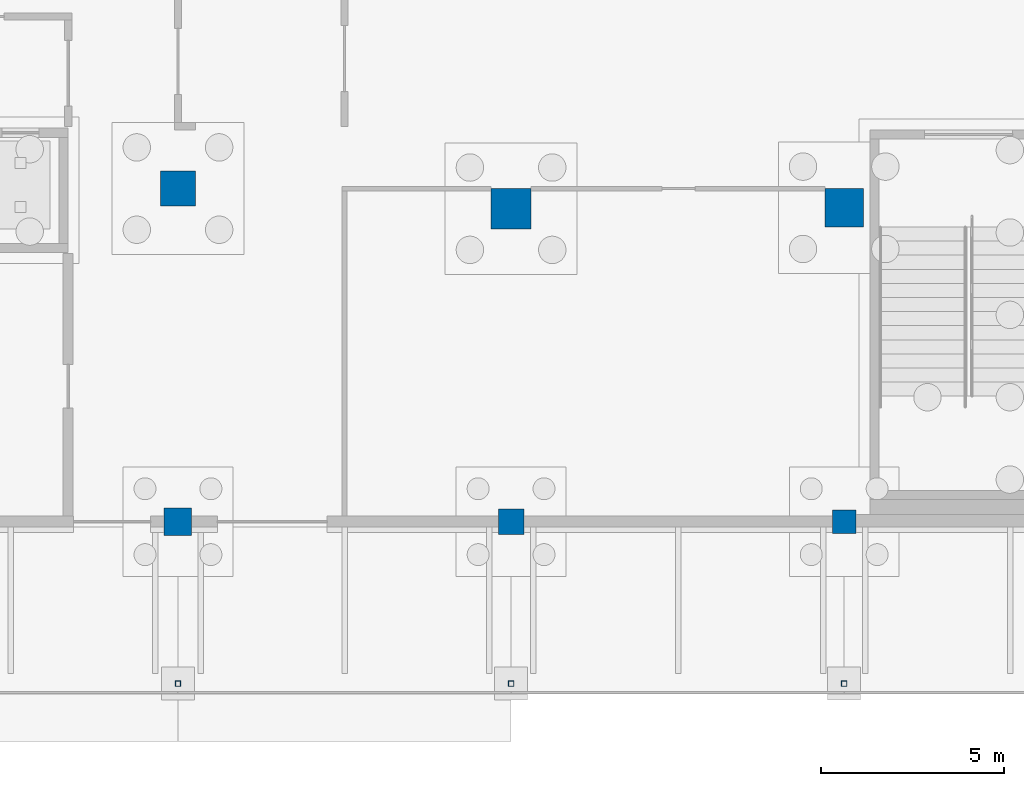
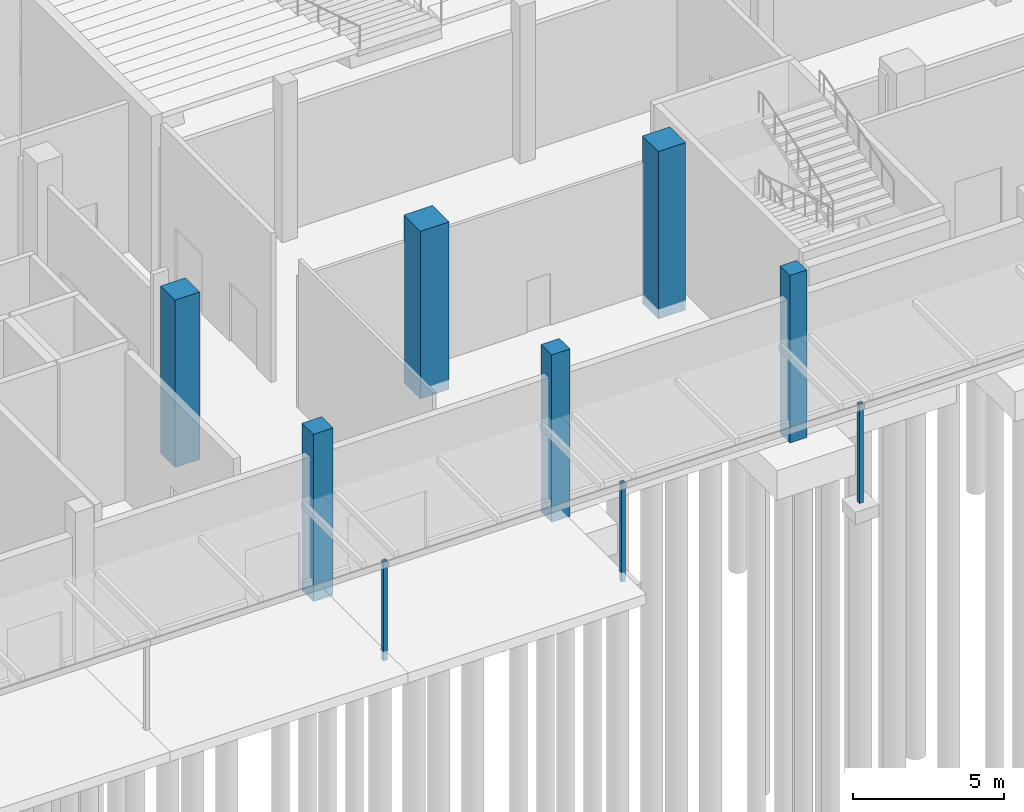
# One storey, part 11 of 129: 9 columns.
"""IFC4 building model written with IfcOpenShell, lengths in metres."""

from ifc_helpers import new_model, si_unit, direction, frame, origin, origin_2d, place, context, subcontext, project, spatial, rectangle, hollow_rectangle, extrude, material, material_profile, profile_set, type_object, element, save


model = new_model("IFC4")

# Units and contexts
model_context = context("Model", 3, precision=1e-05, world=origin(), true_north=direction((0.0, 1.0)))
body_context = subcontext(model_context, "Body", "Model", "MODEL_VIEW")
ifc_project = project(units=[si_unit("LENGTHUNIT", "METRE"), si_unit("AREAUNIT", "SQUARE_METRE"), si_unit("VOLUMEUNIT", "CUBIC_METRE"), si_unit("PLANEANGLEUNIT", "RADIAN"), si_unit("MASSUNIT", "GRAM", prefix="KILO")], contexts=[model_context])

# Site, building, storey
site_placement = place(None, origin())
site = spatial("IfcSite", under=ifc_project, at=site_placement, CompositionType="ELEMENT")
building_placement = place(site_placement, origin())
building = spatial("IfcBuilding", under=site, at=building_placement, Name="Shirokan Park Arena", CompositionType="ELEMENT")
storey_placement = place(building_placement, origin())
storey = spatial("IfcBuildingStorey", under=building, at=storey_placement, Name="L00", CompositionType="ELEMENT", Elevation=0.0)

# Columns
ifc_material_1 = material(Name="Concrete C35", Category="concrete")
ifc_material_profile_1 = material_profile(ifc_material_1, rectangle(XDim=1.050048828125, YDim=1.050048828125, at=origin_2d()), Name="1050x1050")
ifc_profile_set_1 = profile_set([ifc_material_profile_1], Name="Concrete C35")
column_type_1 = type_object("IfcColumnType", Name="RC column 1050x1050", PredefinedType="COLUMN", material=ifc_profile_set_1)
column_1_placement = place(storey_placement, frame((54.60009765625, 8.574951171875, -0.39990234375), z_axis=(0.0, 0.0, 1.0), x_axis=(1.0, 0.0, 0.0)))
element("IfcColumn", 1, at=column_1_placement, inside=storey, type_object=column_type_1, Name="Column 7B L00", PredefinedType="COLUMN", context=body_context, shape_type="SweptSolid", body=[
    extrude(rectangle(XDim=1.050048828125, YDim=1.050048828125, at=origin_2d()), origin(), (0.0, 0.0, 1.0), 6.77001953125),
])
ifc_material_profile_2 = material_profile(ifc_material_1, rectangle(XDim=1.10009765625, YDim=1.10009765625, at=origin_2d()), Name="1100x1100")
ifc_profile_set_2 = profile_set([ifc_material_profile_2], Name="Concrete C35")
column_type_2 = type_object("IfcColumnType", Name="RC column 1100x1100", PredefinedType="COLUMN", material=ifc_profile_set_2)
column_2_placement = place(storey_placement, frame((45.5, 8.550048828125, -0.39990234375), z_axis=(0.0, 0.0, 1.0), x_axis=(1.0, 0.0, 0.0)))
element("IfcColumn", 2, at=column_2_placement, inside=storey, type_object=column_type_2, Name="Column 6B L00", PredefinedType="COLUMN", context=body_context, shape_type="SweptSolid", body=[
    extrude(rectangle(XDim=1.10009765625, YDim=1.10009765625, at=origin_2d()), origin(), (0.0, 0.0, 1.0), 6.77001953125),
])
ifc_material_profile_3 = material_profile(ifc_material_1, rectangle(XDim=0.64990234375, YDim=0.64990234375, at=origin_2d()), Name="650x650")
ifc_profile_set_3 = profile_set([ifc_material_profile_3], Name="Concrete C35")
column_type_3 = type_object("IfcColumnType", Name="RC column 650x650", PredefinedType="COLUMN", material=ifc_profile_set_3)
column_3_placement = place(storey_placement, frame((54.60009765625, 0.0, -0.39990234375), z_axis=(0.0, 0.0, 1.0), x_axis=(1.0, 0.0, 0.0)))
element("IfcColumn", 3, at=column_3_placement, inside=storey, type_object=column_type_3, Name="Column 7A L00", PredefinedType="COLUMN", context=body_context, shape_type="SweptSolid", body=[
    extrude(rectangle(XDim=0.64990234375, YDim=0.64990234375, at=origin_2d()), origin(), (0.0, 0.0, 1.0), 6.77001953125),
])
ifc_material_profile_4 = material_profile(ifc_material_1, rectangle(XDim=0.699951171875, YDim=0.699951171875, at=origin_2d()), Name="700x700")
ifc_profile_set_4 = profile_set([ifc_material_profile_4], Name="Concrete C35")
column_type_4 = type_object("IfcColumnType", Name="RC column 700x700", PredefinedType="COLUMN", material=ifc_profile_set_4)
column_4_placement = place(storey_placement, frame((45.5, 0.0, -0.39990234375), z_axis=(0.0, 0.0, 1.0), x_axis=(1.0, 0.0, 0.0)))
element("IfcColumn", 4, at=column_4_placement, inside=storey, type_object=column_type_4, Name="Column 6A L00", PredefinedType="COLUMN", context=body_context, shape_type="SweptSolid", body=[
    extrude(rectangle(XDim=0.699951171875, YDim=0.699951171875, at=origin_2d()), origin(), (0.0, 0.0, 1.0), 6.77001953125),
])
ifc_material_profile_5 = material_profile(ifc_material_1, rectangle(XDim=0.75, YDim=0.75, at=origin_2d()), Name="750x750")
ifc_profile_set_5 = profile_set([ifc_material_profile_5], Name="Concrete C35")
column_type_5 = type_object("IfcColumnType", Name="RC column 750x750", PredefinedType="COLUMN", material=ifc_profile_set_5)
column_5_placement = place(storey_placement, frame((36.39990234375, 0.0, -0.39990234375), z_axis=(0.0, 0.0, 1.0), x_axis=(1.0, 0.0, 0.0)))
element("IfcColumn", 5, at=column_5_placement, inside=storey, type_object=column_type_5, Name="Column 5A L00", PredefinedType="COLUMN", context=body_context, shape_type="SweptSolid", body=[
    extrude(rectangle(XDim=0.75, YDim=0.75, at=origin_2d()), origin(), (0.0, 0.0, 1.0), 6.77001953125),
])
ifc_material_profile_6 = material_profile(ifc_material_1, rectangle(XDim=0.949951171875, YDim=0.949951171875, at=origin_2d()), Name="950x950")
ifc_profile_set_6 = profile_set([ifc_material_profile_6], Name="Concrete C35")
column_type_6 = type_object("IfcColumnType", Name="RC column 950x950", PredefinedType="COLUMN", material=ifc_profile_set_6)
column_6_placement = place(storey_placement, frame((36.39990234375, 9.10009765625, -0.39990234375), z_axis=(0.0, 0.0, 1.0), x_axis=(1.0, 0.0, 0.0)))
element("IfcColumn", 6, at=column_6_placement, inside=storey, type_object=column_type_6, Name="Column 5B L00", PredefinedType="COLUMN", context=body_context, shape_type="SweptSolid", body=[
    extrude(rectangle(XDim=0.949951171875, YDim=0.949951171875, at=origin_2d()), origin(), (0.0, 0.0, 1.0), 6.77001953125),
])
ifc_material_2 = material(Name="Steel S355", Category="steel")
ifc_material_profile_7 = material_profile(ifc_material_2, hollow_rectangle(XDim=0.14990234375, YDim=0.14990234375, WallThickness=0.008056640625, at=origin_2d()), Name="RHS 150x150x8")
ifc_profile_set_7 = profile_set([ifc_material_profile_7], Name="Steel S355")
column_type_7 = type_object("IfcColumnType", Name="Steel post RHS 150x150x8", PredefinedType="COLUMN", material=ifc_profile_set_7)
for number, where, z_axis, x_axis, name in (
    (7, (36.39990234375, -4.425048828125, -0.39990234375), (0.0, 0.0, 1.0), (1.0, 0.0, 0.0), "Canopy post south grid 5"),
    (8, (45.5, -4.425048828125, -0.39990234375), (0.0, 0.0, 1.0), (1.0, 0.0, 0.0), "Canopy post south grid 6"),
    (9, (54.60009765625, -4.425048828125, -0.39990234375), (0.0, 0.0, 1.0), (1.0, 0.0, 0.0), "Canopy post south grid 7"),
):
    element("IfcColumn", number, at=place(storey_placement, frame(where, z_axis=z_axis, x_axis=x_axis)), inside=storey, type_object=column_type_7, Name=name, PredefinedType="COLUMN", context=body_context, shape_type="SweptSolid", body=[
        extrude(hollow_rectangle(XDim=0.14990234375, YDim=0.14990234375, WallThickness=0.008056640625, at=origin_2d()), origin(), (0.0, 0.0, 1.0), 4.0),
    ])

save(model, "model.ifc")
